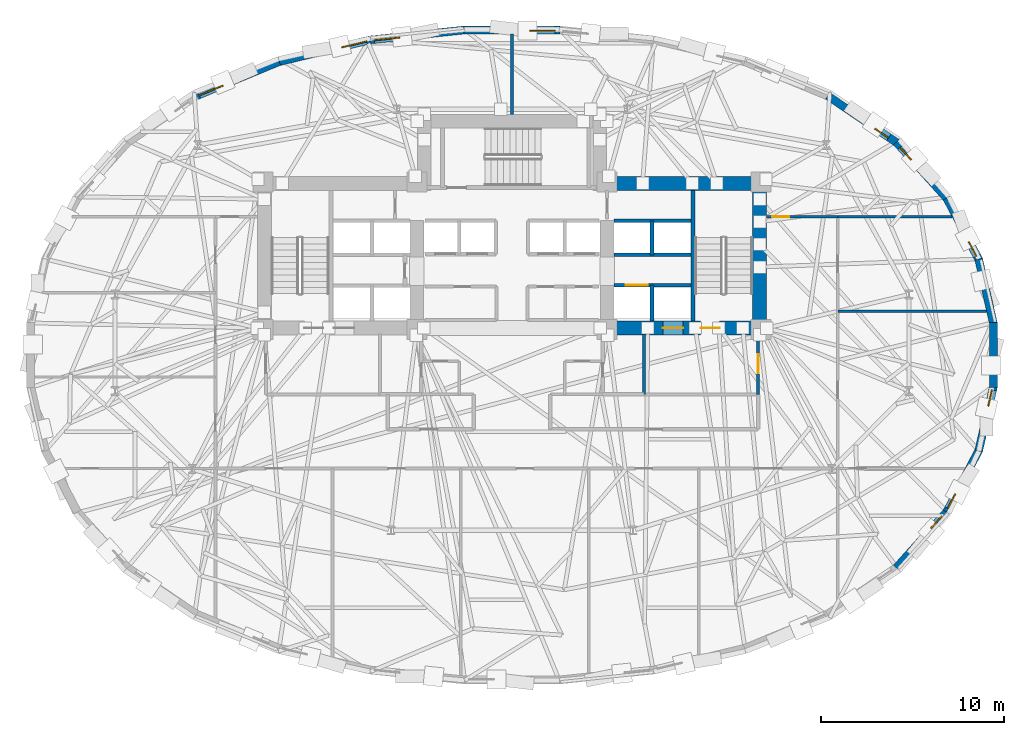
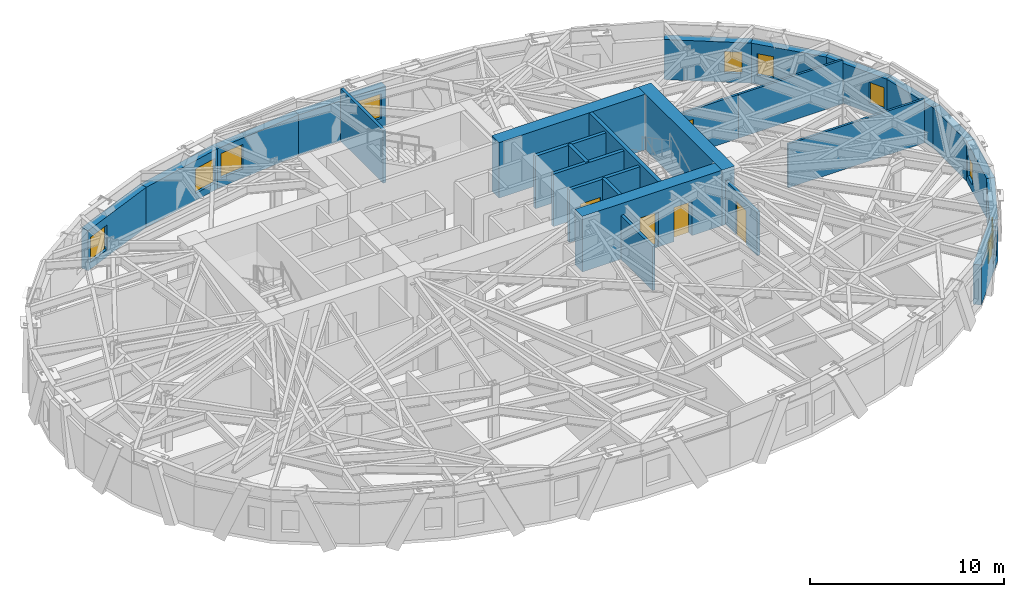
# One storey, part 9 of 14: 27 walls, 10 windows, 5 doors, 15 openings.
"""IFC4 building model written with IfcOpenShell, lengths in metres."""

from ifc_helpers import new_model, si_unit, direction, frame, frame_2d, origin, place, context, subcontext, project, spatial, rectangle, extrude, material, layer, layer_set, type_object, element, fill, save


model = new_model("IFC4")

# Units and contexts
model_context = context("Model", 3, precision=1e-05, world=origin(), true_north=direction((0.0, 1.0)))
body_context = subcontext(model_context, "Body", "Model", "MODEL_VIEW")
ifc_project = project(units=[si_unit("LENGTHUNIT", "METRE"), si_unit("AREAUNIT", "SQUARE_METRE"), si_unit("VOLUMEUNIT", "CUBIC_METRE"), si_unit("PLANEANGLEUNIT", "RADIAN"), si_unit("MASSUNIT", "GRAM", prefix="KILO")], contexts=[model_context])

# Site, building, storey
site_placement = place(None, origin())
site = spatial("IfcSite", under=ifc_project, at=site_placement, CompositionType="ELEMENT")
building_placement = place(site_placement, origin())
building = spatial("IfcBuilding", under=site, at=building_placement, Name="Keldmark Tower", CompositionType="ELEMENT")
storey_placement = place(building_placement, frame((0.0, 0.0, 117.60009765625)))
storey = spatial("IfcBuildingStorey", under=building, at=storey_placement, Name="L31", CompositionType="ELEMENT", Elevation=117.60009765625)

# Wall, opening, door
ifc_material_1 = material(Name="Acoustic Double-Layer Gypsum Corridor Partition", Category="gypsum")
ifc_layer_1 = layer(ifc_material_1, 0.139892578125)
ifc_layer_set_1 = layer_set([ifc_layer_1], Name="Acoustic Double-Layer Gypsum Corridor Partition")
wall_type_1 = type_object("IfcWallType", Name="Acoustic Corridor Partition 140 mm", PredefinedType="PARTITIONING", material=ifc_layer_set_1)
wall_1_placement = place(storey_placement, frame((13.89990234375, 7.550048828125, 0.0), z_axis=(0.0, 0.0, 1.0), x_axis=(1.0, 0.0, 0.0)))
wall_1 = element("IfcWall", 1, at=wall_1_placement, inside=storey, type_object=wall_type_1, Name="L31 Acoustic Corridor Partition 140 mm COR-EN-CAP", PredefinedType="PARTITIONING", context=body_context, shape_type="SweptSolid", body=[
    extrude(rectangle(XDim=3.900146484375, YDim=0.139892578125, at=frame_2d((1.9501953125, 0.0))), origin(), (0.0, 0.0, 1.0), 2.762939453125),
])
opening_1_placement = place(wall_1_placement, frame((0.320068359375, 0.0, 0.0)))
opening_1 = element("IfcOpeningElement", 2, at=opening_1_placement, cuts=wall_1, Name="Opening D-EX092", PredefinedType="OPENING", context=body_context, shape_type="SweptSolid", body=[
    extrude(rectangle(XDim=0.919921875, YDim=2.14990234375, at=frame_2d((0.4599609375, 1.074951171875))), frame((0.0, 0.079833984375, 0.0), z_axis=(0.0, -1.0, 0.0), x_axis=(1.0, 0.0, 0.0)), (0.0, 0.0, 1.0), 0.159912109375),
])
ifc_material_2 = material(Name="Flush American Ash Executive Office Door", Category="wood")
door_type_1 = type_object("IfcDoorType", Name="Executive Office Door 920x2150", OperationType="NOTDEFINED", PredefinedType="DOOR", material=ifc_material_2)
door_1_placement = place(opening_1_placement, origin())
door_1 = element("IfcDoor", 3, at=door_1_placement, inside=storey, type_object=door_type_1, Name="L31 Executive Office Door 920x2150 D-NRNE-L31", OperationType="SINGLE_SWING_RIGHT", OverallHeight=2.14990234375, OverallWidth=0.919921875, PredefinedType="DOOR", context=body_context, shape_type="SweptSolid", body=[
    extrude(rectangle(XDim=0.919921875, YDim=2.14990234375, at=frame_2d((0.4599609375, 1.074951171875))), frame((0.0, 0.02490234375, 0.0), z_axis=(0.0, -1.0, 0.0), x_axis=(1.0, 0.0, 0.0)), (0.0, 0.0, 1.0), 0.050048828125),
])
fill(opening_1, door_1)

# Walls
ifc_material_3 = material(Name="STC-58 Insulated Tenant Demising Gypsum Partition", Category="gypsum")
ifc_layer_2 = layer(ifc_material_3, 0.175048828125)
ifc_layer_set_2 = layer_set([ifc_layer_2], Name="STC-58 Insulated Tenant Demising Gypsum Partition")
wall_type_2 = type_object("IfcWallType", Name="Demising Suite Partition 175 mm", PredefinedType="PARTITIONING", material=ifc_layer_set_2)
wall_2_placement = place(storey_placement, frame((0.0, 13.14990234375, 0.0), z_axis=(0.0, 0.0, 1.0), x_axis=(0.0, 1.0, 0.0)))
element("IfcWall", 4, at=wall_2_placement, inside=storey, type_object=wall_type_2, Name="L31 Demising Suite Partition 175 mm N-MID-DIV", PredefinedType="PARTITIONING", context=body_context, shape_type="SweptSolid", body=[
    extrude(rectangle(XDim=4.3828125, YDim=0.175048828125, at=frame_2d((2.19140625, 0.0))), origin(), (0.0, 0.0, 1.0), 3.309814453125),
])
ifc_material_4 = material(Name="Acoustic Gypsum Board Interior Partition", Category="gypsum")
ifc_layer_3 = layer(ifc_material_4, 0.1298828125)
ifc_layer_set_3 = layer_set([ifc_layer_3], Name="Acoustic Gypsum Board Interior Partition")
wall_type_3 = type_object("IfcWallType", Name="Interior Partition 130 mm", PredefinedType="PARTITIONING", material=ifc_layer_set_3)
wall_3_placement = place(storey_placement, frame((17.800048828125, 7.550048828125, 0.0), z_axis=(0.0, 0.0, 1.0), x_axis=(1.0, 0.0, 0.0)))
element("IfcWall", 5, at=wall_3_placement, inside=storey, type_object=wall_type_3, Name="L31 Interior Partition 130 mm E-CAP-N", PredefinedType="PARTITIONING", context=body_context, shape_type="SweptSolid", body=[
    extrude(rectangle(XDim=6.233642578125, YDim=0.1298828125, at=frame_2d((3.11669921875, 0.0))), origin(), (0.0, 0.0, 1.0), 2.762939453125),
])
wall_4_placement = place(storey_placement, frame((17.800048828125, 2.39990234375, 0.0), z_axis=(0.0, 0.0, 1.0), x_axis=(1.0, 0.0, 0.0)))
element("IfcWall", 6, at=wall_4_placement, inside=storey, type_object=wall_type_3, Name="L31 Interior Partition 130 mm E-DIV-1", PredefinedType="PARTITIONING", context=body_context, shape_type="SweptSolid", body=[
    extrude(rectangle(XDim=8.1181640625, YDim=0.1298828125, at=frame_2d((4.05908203125, 0.0))), origin(), (0.0, 0.0, 1.0), 2.762939453125),
])
ifc_material_5 = material(Name="Concrete C70/85", Category="concrete")
ifc_layer_4 = layer(ifc_material_5, 0.75)
ifc_layer_set_4 = layer_set([ifc_layer_4], Name="Concrete C70/85")
wall_type_4 = type_object("IfcWallType", Name="Low-Mid Core Shear Wall 750 mm", PredefinedType="SHEAR", material=ifc_layer_set_4)
wall_5_placement = place(storey_placement, frame((13.52490234375, 1.10009765625, 0.0), z_axis=(0.0, 0.0, 1.0), x_axis=(0.0, 1.0, 0.0)))
element("IfcWall", 7, at=wall_5_placement, inside=storey, type_object=wall_type_4, Name="L31 East Core Outer Shear Wall", PredefinedType="SHEAR", context=body_context, shape_type="SweptSolid", body=[
    extrude(rectangle(XDim=8.64990234375, YDim=0.75, at=frame_2d((4.324951171875, 0.0))), origin(), (0.0, 0.0, 1.0), 3.5),
])
wall_6_placement = place(storey_placement, frame((4.425048828125, 9.375, 0.0), z_axis=(0.0, 0.0, 1.0), x_axis=(1.0, 0.0, 0.0)))
element("IfcWall", 8, at=wall_6_placement, inside=storey, type_object=wall_type_4, Name="L31 East Core North Shear Wall", PredefinedType="SHEAR", context=body_context, shape_type="SweptSolid", body=[
    extrude(rectangle(XDim=9.474853515625, YDim=0.75, at=frame_2d((4.7373046875, 0.0))), origin(), (0.0, 0.0, 1.0), 3.5),
])

# Wall, openings, doors
wall_7_placement = place(storey_placement, frame((13.89990234375, 1.47509765625, 0.0), z_axis=(0.0, 0.0, 1.0), x_axis=(-1.0, 0.0, 0.0)))
wall_7 = element("IfcWall", 9, at=wall_7_placement, inside=storey, type_object=wall_type_4, Name="L31 East Core South Shear Wall", PredefinedType="SHEAR", context=body_context, shape_type="SweptSolid", body=[
    extrude(rectangle(XDim=9.074951171875, YDim=0.75, at=frame_2d((4.53759765625, 0.0))), origin(), (0.0, 0.0, 1.0), 3.5),
])
opening_2_placement = place(wall_7_placement, frame((2.550048828125, 0.0, 0.0)))
opening_2 = element("IfcOpeningElement", 10, at=opening_2_placement, cuts=wall_7, Name="Opening D-ST105", PredefinedType="OPENING", context=body_context, shape_type="SweptSolid", body=[
    extrude(rectangle(XDim=1.050048828125, YDim=2.14990234375, at=frame_2d((0.52490234375, 1.074951171875))), frame((0.0, 0.385009765625, 0.0), z_axis=(0.0, -1.0, 0.0), x_axis=(1.0, 0.0, 0.0)), (0.0, 0.0, 1.0), 0.77001953125),
])
opening_3_placement = place(wall_7_placement, frame((4.550048828125, 0.0, 0.0)))
opening_3 = element("IfcOpeningElement", 11, at=opening_3_placement, cuts=wall_7, Name="Opening LD-110", PredefinedType="OPENING", context=body_context, shape_type="SweptSolid", body=[
    extrude(rectangle(XDim=1.10009765625, YDim=2.199951171875, at=frame_2d((0.550048828125, 1.10009765625))), frame((0.0, 0.385009765625, 0.0), z_axis=(0.0, -1.0, 0.0), x_axis=(1.0, 0.0, 0.0)), (0.0, 0.0, 1.0), 0.77001953125),
])
ifc_material_6 = material(Name="Brushed Bronze Hoistway Sliding Leaf", Category="metal")
door_type_2 = type_object("IfcDoorType", Name="Lift Landing Sliding Door 1100x2200", OperationType="SLIDING_TO_LEFT", PredefinedType="DOOR", material=ifc_material_6)
door_2_placement = place(opening_3_placement, origin())
door_2 = element("IfcDoor", 12, at=door_2_placement, inside=storey, type_object=door_type_2, Name="L31 Lift Landing Sliding Door 1100x2200 LD-EL-FS2-L31", OperationType="SLIDING_TO_LEFT", OverallHeight=2.199951171875, OverallWidth=1.10009765625, PredefinedType="DOOR", context=body_context, shape_type="SweptSolid", body=[
    extrude(rectangle(XDim=1.10009765625, YDim=2.199951171875, at=frame_2d((0.550048828125, 1.10009765625))), frame((0.0, 0.02490234375, 0.0), z_axis=(0.0, -1.0, 0.0), x_axis=(1.0, 0.0, 0.0)), (0.0, 0.0, 1.0), 0.050048828125),
])
fill(opening_3, door_2)
ifc_material_7 = material(Name="Hollow Metal Fire-Rated Door Assembly", Category="metal")
door_type_3 = type_object("IfcDoorType", Name="Stair Fire Door 1050x2150", OperationType="NOTDEFINED", PredefinedType="DOOR", material=ifc_material_7)
door_3_placement = place(opening_2_placement, origin())
door_3 = element("IfcDoor", 13, at=door_3_placement, inside=storey, type_object=door_type_3, Name="L31 Stair Fire Door 1050x2150 D-ST2-L31", OperationType="SINGLE_SWING_LEFT", OverallHeight=2.14990234375, OverallWidth=1.050048828125, PredefinedType="DOOR", context=body_context, shape_type="SweptSolid", body=[
    extrude(rectangle(XDim=1.050048828125, YDim=2.14990234375, at=frame_2d((0.52490234375, 1.074951171875))), frame((0.0, 0.02490234375, 0.0), z_axis=(0.0, -1.0, 0.0), x_axis=(1.0, 0.0, 0.0)), (0.0, 0.0, 1.0), 0.050048828125),
])
fill(opening_2, door_3)

# Wall
ifc_material_8 = material(Name="Type X Fire-Rated Gypsum Partition Assembly", Category="gypsum")
ifc_layer_5 = layer(ifc_material_8, 0.1650390625)
ifc_layer_set_5 = layer_set([ifc_layer_5], Name="Type X Fire-Rated Gypsum Partition Assembly")
wall_type_5 = type_object("IfcWallType", Name="Rated Partition 165 mm", PredefinedType="PARTITIONING", material=ifc_layer_set_5)
wall_8_placement = place(storey_placement, frame((7.199951171875, -2.14990234375, 0.0), z_axis=(0.0, 0.0, 1.0), x_axis=(0.0, 1.0, 0.0)))
element("IfcWall", 14, at=wall_8_placement, inside=storey, type_object=wall_type_5, Name="L31 Rated Partition 165 mm FSAE-E-W", PredefinedType="PARTITIONING", context=body_context, shape_type="SweptSolid", body=[
    extrude(rectangle(XDim=3.2998046875, YDim=0.1650390625, at=frame_2d((1.64990234375, 0.0))), origin(), (0.0, 0.0, 1.0), 2.762939453125),
])

# Wall, opening, door
wall_9_placement = place(storey_placement, frame((13.449951171875, -2.14990234375, 0.0), z_axis=(0.0, 0.0, 1.0), x_axis=(0.0, 1.0, 0.0)))
wall_9 = element("IfcWall", 15, at=wall_9_placement, inside=storey, type_object=wall_type_5, Name="L31 Rated Partition 165 mm FSAE-E-E", PredefinedType="PARTITIONING", context=body_context, shape_type="SweptSolid", body=[
    extrude(rectangle(XDim=3.2998046875, YDim=0.1650390625, at=frame_2d((1.64990234375, 0.0))), origin(), (0.0, 0.0, 1.0), 2.762939453125),
])
opening_4_placement = place(wall_9_placement, frame((1.14990234375, 0.0, 0.0)))
opening_4 = element("IfcOpeningElement", 16, at=opening_4_placement, cuts=wall_9, Name="Opening D-FL105", PredefinedType="OPENING", context=body_context, shape_type="SweptSolid", body=[
    extrude(rectangle(XDim=1.050048828125, YDim=2.14990234375, at=frame_2d((0.52490234375, 1.074951171875))), frame((0.0, 0.092529296875, 0.0), z_axis=(0.0, -1.0, 0.0), x_axis=(1.0, 0.0, 0.0)), (0.0, 0.0, 1.0), 0.18505859375),
])
ifc_material_9 = material(Name="Fire-Rated Mineral-Core Door and Vision Lite", Category="metal")
door_type_4 = type_object("IfcDoorType", Name="Fire Lobby Door 1050x2150", OperationType="NOTDEFINED", PredefinedType="DOOR", material=ifc_material_9)
door_4_placement = place(opening_4_placement, origin())
door_4 = element("IfcDoor", 17, at=door_4_placement, inside=storey, type_object=door_type_4, Name="L31 Fire Lobby Door 1050x2150 D-FSAEE-OUT-L31", OperationType="SINGLE_SWING_LEFT", OverallHeight=2.14990234375, OverallWidth=1.050048828125, PredefinedType="DOOR", context=body_context, shape_type="SweptSolid", body=[
    extrude(rectangle(XDim=1.050048828125, YDim=2.14990234375, at=frame_2d((0.52490234375, 1.074951171875))), frame((0.0, 0.02490234375, 0.0), z_axis=(0.0, -1.0, 0.0), x_axis=(1.0, 0.0, 0.0)), (0.0, 0.0, 1.0), 0.050048828125),
])
fill(opening_4, door_4)

ifc_material_10 = material(Name="Fire-Resistant Type X Gypsum Shaftliner Coreboard", Category="gypsum")
ifc_layer_6 = layer(ifc_material_10, 0.199951171875)
ifc_layer_set_6 = layer_set([ifc_layer_6], Name="Fire-Resistant Type X Gypsum Shaftliner Coreboard")
wall_type_6 = type_object("IfcWallType", Name="Shaft Wall 200 mm", PredefinedType="SOLIDWALL", material=ifc_layer_set_6)
wall_10_placement = place(storey_placement, frame((5.574951171875, 3.820068359375, 0.0), z_axis=(0.0, 0.0, 1.0), x_axis=(1.0, 0.0, 0.0)))
wall_10 = element("IfcWall", 18, at=wall_10_placement, inside=storey, type_object=wall_type_6, Name="L31 Shaft Wall 200 mm HW-E-S", PredefinedType="SOLIDWALL", context=body_context, shape_type="SweptSolid", body=[
    extrude(rectangle(XDim=4.205078125, YDim=0.199951171875, at=frame_2d((2.1025390625, 0.0))), origin(), (0.0, 0.0, 1.0), 3.309814453125),
])
opening_5_placement = place(wall_10_placement, frame((0.64990234375, 0.0, 0.0)))
opening_5 = element("IfcOpeningElement", 19, at=opening_5_placement, cuts=wall_10, Name="Opening LD-120", PredefinedType="OPENING", context=body_context, shape_type="SweptSolid", body=[
    extrude(rectangle(XDim=1.199951171875, YDim=2.199951171875, at=frame_2d((0.60009765625, 1.10009765625))), frame((0.0, 0.10986328125, 0.0), z_axis=(0.0, -1.0, 0.0), x_axis=(1.0, 0.0, 0.0)), (0.0, 0.0, 1.0), 0.219970703125),
])
ifc_material_11 = material(Name="Heavy-Duty Brushed Metal Hoistway Sliding Leaf", Category="metal")
door_type_5 = type_object("IfcDoorType", Name="Service Lift Sliding Door 1200x2200", OperationType="SLIDING_TO_RIGHT", PredefinedType="DOOR", material=ifc_material_11)
door_5_placement = place(opening_5_placement, origin())
door_5 = element("IfcDoor", 20, at=door_5_placement, inside=storey, type_object=door_type_5, Name="L31 Service Lift Sliding Door 1200x2200 LD-EL-SV1-L31", OperationType="SLIDING_TO_RIGHT", OverallHeight=2.199951171875, OverallWidth=1.199951171875, PredefinedType="DOOR", context=body_context, shape_type="SweptSolid", body=[
    extrude(rectangle(XDim=1.199951171875, YDim=2.199951171875, at=frame_2d((0.60009765625, 1.10009765625))), frame((0.0, 0.02490234375, 0.0), z_axis=(0.0, -1.0, 0.0), x_axis=(1.0, 0.0, 0.0)), (0.0, 0.0, 1.0), 0.050048828125),
])
fill(opening_5, door_5)

# Walls
wall_11_placement = place(storey_placement, frame((7.64990234375, 1.85009765625, 0.0), z_axis=(0.0, 0.0, 1.0), x_axis=(0.0, 1.0, 0.0)))
element("IfcWall", 21, at=wall_11_placement, inside=storey, type_object=wall_type_6, Name="L31 Shaft Wall 200 mm HW-E-M", PredefinedType="SOLIDWALL", context=body_context, shape_type="SweptSolid", body=[
    extrude(rectangle(XDim=1.969970703125, YDim=0.199951171875, at=frame_2d((0.98486328125, 0.0))), origin(), (0.0, 0.0, 1.0), 3.309814453125),
])
for number, where, z_axis, x_axis, name in (
    (22, (5.574951171875, 5.469970703125, 0.0), (0.0, 0.0, 1.0), (1.0, 0.0, 0.0), "L31 Shaft Wall 200 mm HW-E-N"),
    (23, (5.574951171875, 7.330078125, 0.0), (0.0, 0.0, 1.0), (1.0, 0.0, 0.0), "L31 Shaft Wall 200 mm HW-E-TOP"),
):
    element("IfcWall", number, at=place(storey_placement, frame(where, z_axis=z_axis, x_axis=x_axis)), inside=storey, type_object=wall_type_6, Name=name, PredefinedType="SOLIDWALL", context=body_context, shape_type="SweptSolid", body=[
        extrude(rectangle(XDim=4.205078125, YDim=0.199951171875, at=frame_2d((2.1025390625, 0.0))), origin(), (0.0, 0.0, 1.0), 3.309814453125),
    ])
wall_12_placement = place(storey_placement, frame((7.64990234375, 5.469970703125, 0.0), z_axis=(0.0, 0.0, 1.0), x_axis=(0.0, 1.0, 0.0)))
element("IfcWall", 24, at=wall_12_placement, inside=storey, type_object=wall_type_6, Name="L31 Shaft Wall 200 mm HW-E-NM", PredefinedType="SOLIDWALL", context=body_context, shape_type="SweptSolid", body=[
    extrude(rectangle(XDim=1.860107421875, YDim=0.199951171875, at=frame_2d((0.93017578125, 0.0))), origin(), (0.0, 0.0, 1.0), 3.309814453125),
])
ifc_material_12 = material(Name="Concrete C50/60", Category="concrete")
ifc_layer_7 = layer(ifc_material_12, 0.219970703125)
ifc_layer_set_7 = layer_set([ifc_layer_7], Name="Concrete C50/60")
wall_type_7 = type_object("IfcWallType", Name="Stair Core Shear Wall 220 mm", PredefinedType="SHEAR", material=ifc_layer_set_7)
wall_13_placement = place(storey_placement, frame((9.889892578125, 1.85009765625, 0.0), z_axis=(0.0, 0.0, 1.0), x_axis=(0.0, 1.0, 0.0)))
element("IfcWall", 25, at=wall_13_placement, inside=storey, type_object=wall_type_7, Name="L31 East Stair Core Shear Wall", PredefinedType="SHEAR", context=body_context, shape_type="SweptSolid", body=[
    extrude(rectangle(XDim=7.14990234375, YDim=0.219970703125, at=frame_2d((3.574951171875, 0.0))), origin(), (0.0, 0.0, 1.0), 3.5),
])
ifc_material_13 = material(Name="Ironspot Manganese Brick and Kasota Buff Limestone Spandrel Assembly", Category="masonry")
ifc_layer_8 = layer(ifc_material_13, 0.43994140625)
ifc_layer_set_8 = layer_set([ifc_layer_8], Name="Ironspot Manganese Brick and Kasota Buff Limestone Spandrel Assembly")
wall_type_8 = type_object("IfcWallType", Name="Tower Brick Pier and Spandrel Wall 440 mm", PredefinedType="STANDARD", material=ifc_layer_set_8)
wall_14_placement = place(storey_placement, frame((25.501708984375, 5.239501953125, 0.0), z_axis=(0.0, 0.0, 1.0), x_axis=(0.223322591546, -0.974744592242, 0.0)))
element("IfcWall", 26, at=wall_14_placement, inside=storey, type_object=wall_type_8, Name="L31 Exterior Brick and Spandrel Wall 01", PredefinedType="STANDARD", context=body_context, shape_type="SweptSolid", body=[
    extrude(rectangle(XDim=3.608642578125, YDim=0.43994140625, at=frame_2d((1.80419921875, 0.0))), origin(), (0.0, 0.0, 1.0), 2.52783203125),
])

# Wall, opening, window
wall_15_placement = place(storey_placement, frame((23.755859375, 8.57763671875, 0.0), z_axis=(0.0, 0.0, 1.0), x_axis=(0.461766944701, -0.88700129018, 0.0)))
wall_15 = element("IfcWall", 27, at=wall_15_placement, inside=storey, type_object=wall_type_8, Name="L31 Exterior Brick and Spandrel Wall 02", PredefinedType="STANDARD", context=body_context, shape_type="SweptSolid", body=[
    extrude(rectangle(XDim=3.822509765625, YDim=0.43994140625, at=frame_2d((1.9111328125, 0.0))), origin(), (0.0, 0.0, 1.0), 2.52783203125),
])
opening_6_placement = place(wall_15_placement, frame((2.673095703125, 0.0, 0.580078125)))
opening_6 = element("IfcOpeningElement", 28, at=opening_6_placement, cuts=wall_15, Name="Opening W-09", PredefinedType="OPENING", context=body_context, shape_type="SweptSolid", body=[
    extrude(rectangle(XDim=0.89990234375, YDim=1.35009765625, at=frame_2d((0.449951171875, 0.675048828125))), frame((0.0, 0.22998046875, 0.0), z_axis=(0.0, -1.0, 0.0), x_axis=(1.0, 0.0, 0.0)), (0.0, 0.0, 1.0), 0.4599609375),
])
ifc_material_14 = material(Name="Thermally Broken Anodized Aluminum and Triple Low-E Argon Glazing", Category="aluminium")
window_type_1 = type_object("IfcWindowType", Name="Corner Pier Deep-Set Window 900x1350", PartitioningType="SINGLE_PANEL", PredefinedType="WINDOW", material=ifc_material_14)
window_1_placement = place(opening_6_placement, origin())
window_1 = element("IfcWindow", 29, at=window_1_placement, inside=storey, type_object=window_type_1, Name="L31 Deep-Set Window 02", OverallHeight=1.35009765625, OverallWidth=0.89990234375, PartitioningType="SINGLE_PANEL", PredefinedType="WINDOW", context=body_context, shape_type="SweptSolid", body=[
    extrude(rectangle(XDim=0.89990234375, YDim=1.35009765625, at=frame_2d((0.449951171875, 0.675048828125))), frame((0.0, -0.010009765625, 0.0), z_axis=(0.0, -1.0, 0.0), x_axis=(1.0, 0.0, 0.0)), (0.0, 0.0, 1.0), 0.06005859375),
])
fill(opening_6, window_1)

wall_16_placement = place(storey_placement, frame((21.001708984375, 11.629150390625, 0.0), z_axis=(0.0, 0.0, 1.0), x_axis=(0.668754222456, -0.743483550556, 0.0)))
wall_16 = element("IfcWall", 30, at=wall_16_placement, inside=storey, type_object=wall_type_8, Name="L31 Exterior Brick and Spandrel Wall 03", PredefinedType="STANDARD", context=body_context, shape_type="SweptSolid", body=[
    extrude(rectangle(XDim=4.16552734375, YDim=0.43994140625, at=frame_2d((2.082763671875, 0.0))), origin(), (0.0, 0.0, 1.0), 2.52783203125),
])
opening_7_placement = place(wall_16_placement, frame((0.34814453125, 0.0, 0.580078125)))
opening_7 = element("IfcOpeningElement", 31, at=opening_7_placement, cuts=wall_16, Name="Opening W-09", PredefinedType="OPENING", context=body_context, shape_type="SweptSolid", body=[
    extrude(rectangle(XDim=0.89990234375, YDim=1.35009765625, at=frame_2d((0.449951171875, 0.675048828125))), frame((0.0, 0.22998046875, 0.0), z_axis=(0.0, -1.0, 0.0), x_axis=(1.0, 0.0, 0.0)), (0.0, 0.0, 1.0), 0.4599609375),
])
window_2_placement = place(opening_7_placement, origin())
window_2 = element("IfcWindow", 32, at=window_2_placement, inside=storey, type_object=window_type_1, Name="L31 Deep-Set Window 03", OverallHeight=1.35009765625, OverallWidth=0.89990234375, PartitioningType="SINGLE_PANEL", PredefinedType="WINDOW", context=body_context, shape_type="SweptSolid", body=[
    extrude(rectangle(XDim=0.89990234375, YDim=1.35009765625, at=frame_2d((0.449951171875, 0.675048828125))), frame((0.0, -0.010009765625, 0.0), z_axis=(0.0, -1.0, 0.0), x_axis=(1.0, 0.0, 0.0)), (0.0, 0.0, 1.0), 0.06005859375),
])
fill(opening_7, window_2)

wall_17_placement = place(storey_placement, frame((17.24658203125, 14.167236328125, 0.0), z_axis=(0.0, 0.0, 1.0), x_axis=(0.827700115196, -0.561170668607, 0.0)))
wall_17 = element("IfcWall", 33, at=wall_17_placement, inside=storey, type_object=wall_type_8, Name="L31 Exterior Brick and Spandrel Wall 04", PredefinedType="STANDARD", context=body_context, shape_type="SweptSolid", body=[
    extrude(rectangle(XDim=4.58544921875, YDim=0.43994140625, at=frame_2d((2.292724609375, 0.0))), origin(), (0.0, 0.0, 1.0), 2.52783203125),
])
opening_8_placement = place(wall_17_placement, frame((3.136962890625, 0.0, 0.580078125)))
opening_8 = element("IfcOpeningElement", 34, at=opening_8_placement, cuts=wall_17, Name="Opening W-09", PredefinedType="OPENING", context=body_context, shape_type="SweptSolid", body=[
    extrude(rectangle(XDim=0.89990234375, YDim=1.35009765625, at=frame_2d((0.449951171875, 0.675048828125))), frame((0.0, 0.22998046875, 0.0), z_axis=(0.0, -1.0, 0.0), x_axis=(1.0, 0.0, 0.0)), (0.0, 0.0, 1.0), 0.4599609375),
])
window_3_placement = place(opening_8_placement, origin())
window_3 = element("IfcWindow", 35, at=window_3_placement, inside=storey, type_object=window_type_1, Name="L31 Deep-Set Window 04", OverallHeight=1.35009765625, OverallWidth=0.89990234375, PartitioningType="SINGLE_PANEL", PredefinedType="WINDOW", context=body_context, shape_type="SweptSolid", body=[
    extrude(rectangle(XDim=0.89990234375, YDim=1.35009765625, at=frame_2d((0.449951171875, 0.675048828125))), frame((0.0, -0.010009765625, 0.0), z_axis=(0.0, -1.0, 0.0), x_axis=(1.0, 0.0, 0.0)), (0.0, 0.0, 1.0), 0.06005859375),
])
fill(opening_8, window_3)

wall_18_placement = place(storey_placement, frame((-2.6123046875, 17.7607421875, 0.0), z_axis=(0.0, 0.0, 1.0), x_axis=(1.0, 0.0, 0.0)))
wall_18 = element("IfcWall", 36, at=wall_18_placement, inside=storey, type_object=wall_type_8, Name="L31 Exterior Brick and Spandrel Wall 08", PredefinedType="STANDARD", context=body_context, shape_type="SweptSolid", body=[
    extrude(rectangle(XDim=5.224609375, YDim=0.43994140625, at=frame_2d((2.6123046875, 0.0))), origin(), (0.0, 0.0, 1.0), 2.52783203125),
])
opening_9_placement = place(wall_18_placement, frame((3.57470703125, 0.0, 0.580078125)))
opening_9 = element("IfcOpeningElement", 37, at=opening_9_placement, cuts=wall_18, Name="Opening W-08", PredefinedType="OPENING", context=body_context, shape_type="SweptSolid", body=[
    extrude(rectangle(XDim=1.39990234375, YDim=1.550048828125, at=frame_2d((0.699951171875, 0.77490234375))), frame((0.0, 0.22998046875, 0.0), z_axis=(0.0, -1.0, 0.0), x_axis=(1.0, 0.0, 0.0)), (0.0, 0.0, 1.0), 0.4599609375),
])
ifc_material_15 = material(Name="Thermally Broken Anodized Aluminum and Triple Low-E Argon Glazing", Category="aluminium")
window_type_2 = type_object("IfcWindowType", Name="Residential Corner Punched Window 1400x1550", PartitioningType="SINGLE_PANEL", PredefinedType="WINDOW", material=ifc_material_15)
window_4_placement = place(opening_9_placement, origin())
window_4 = element("IfcWindow", 38, at=window_4_placement, inside=storey, type_object=window_type_2, Name="L31 Deep-Set Window 08", OverallHeight=1.550048828125, OverallWidth=1.39990234375, PartitioningType="SINGLE_PANEL", PredefinedType="WINDOW", context=body_context, shape_type="SweptSolid", body=[
    extrude(rectangle(XDim=1.39990234375, YDim=1.550048828125, at=frame_2d((0.699951171875, 0.77490234375))), frame((0.0, -0.010009765625, 0.0), z_axis=(0.0, -1.0, 0.0), x_axis=(1.0, 0.0, 0.0)), (0.0, 0.0, 1.0), 0.06005859375),
])
fill(opening_9, window_4)

wall_19_placement = place(storey_placement, frame((-7.77783203125, 17.215576171875, 0.0), z_axis=(0.0, 0.0, 1.0), x_axis=(0.994501349718, 0.104723757619, 0.0)))
wall_19 = element("IfcWall", 39, at=wall_19_placement, inside=storey, type_object=wall_type_8, Name="L31 Exterior Brick and Spandrel Wall 09", PredefinedType="STANDARD", context=body_context, shape_type="SweptSolid", body=[
    extrude(rectangle(XDim=5.217529296875, YDim=0.43994140625, at=frame_2d((2.60888671875, 0.0))), origin(), (0.0, 0.0, 1.0), 2.52783203125),
])
opening_10_placement = place(wall_19_placement, frame((0.24951171875, 0.0, 0.580078125)))
opening_10 = element("IfcOpeningElement", 40, at=opening_10_placement, cuts=wall_19, Name="Opening W-08", PredefinedType="OPENING", context=body_context, shape_type="SweptSolid", body=[
    extrude(rectangle(XDim=1.39990234375, YDim=1.550048828125, at=frame_2d((0.699951171875, 0.77490234375))), frame((0.0, 0.22998046875, 0.0), z_axis=(0.0, -1.0, 0.0), x_axis=(1.0, 0.0, 0.0)), (0.0, 0.0, 1.0), 0.4599609375),
])
window_5_placement = place(opening_10_placement, origin())
window_5 = element("IfcWindow", 41, at=window_5_placement, inside=storey, type_object=window_type_2, Name="L31 Deep-Set Window 09", OverallHeight=1.550048828125, OverallWidth=1.39990234375, PartitioningType="SINGLE_PANEL", PredefinedType="WINDOW", context=body_context, shape_type="SweptSolid", body=[
    extrude(rectangle(XDim=1.39990234375, YDim=1.550048828125, at=frame_2d((0.699951171875, 0.77490234375))), frame((0.0, -0.010009765625, 0.0), z_axis=(0.0, -1.0, 0.0), x_axis=(1.0, 0.0, 0.0)), (0.0, 0.0, 1.0), 0.06005859375),
])
fill(opening_10, window_5)

wall_20_placement = place(storey_placement, frame((-12.750732421875, 16.023681640625, 0.0), z_axis=(0.0, 0.0, 1.0), x_axis=(0.972539655933, 0.232737228734, 0.0)))
wall_20 = element("IfcWall", 42, at=wall_20_placement, inside=storey, type_object=wall_type_8, Name="L31 Exterior Brick and Spandrel Wall 10", PredefinedType="STANDARD", context=body_context, shape_type="SweptSolid", body=[
    extrude(rectangle(XDim=5.14208984375, YDim=0.43994140625, at=frame_2d((2.571044921875, 0.0))), origin(), (0.0, 0.0, 1.0), 2.52783203125),
])
opening_11_placement = place(wall_20_placement, frame((3.542236328125, 0.0, 0.449951171875)))
opening_11 = element("IfcOpeningElement", 43, at=opening_11_placement, cuts=wall_20, Name="Opening W-08", PredefinedType="OPENING", context=body_context, shape_type="SweptSolid", body=[
    extrude(rectangle(XDim=1.39990234375, YDim=1.550048828125, at=frame_2d((0.699951171875, 0.77490234375))), frame((0.0, 0.22998046875, 0.0), z_axis=(0.0, -1.0, 0.0), x_axis=(1.0, 0.0, 0.0)), (0.0, 0.0, 1.0), 0.4599609375),
])
window_6_placement = place(opening_11_placement, origin())
window_6 = element("IfcWindow", 44, at=window_6_placement, inside=storey, type_object=window_type_2, Name="L31 Deep-Set Window 10", OverallHeight=1.550048828125, OverallWidth=1.39990234375, PartitioningType="SINGLE_PANEL", PredefinedType="WINDOW", context=body_context, shape_type="SweptSolid", body=[
    extrude(rectangle(XDim=1.39990234375, YDim=1.550048828125, at=frame_2d((0.699951171875, 0.77490234375))), frame((0.0, -0.010009765625, 0.0), z_axis=(0.0, -1.0, 0.0), x_axis=(1.0, 0.0, 0.0)), (0.0, 0.0, 1.0), 0.06005859375),
])
fill(opening_11, window_6)

wall_21_placement = place(storey_placement, frame((-17.285888671875, 14.14599609375, 0.0), z_axis=(0.0, 0.0, 1.0), x_axis=(0.924140141084, 0.382053660678, 0.0)))
wall_21 = element("IfcWall", 45, at=wall_21_placement, inside=storey, type_object=wall_type_8, Name="L31 Exterior Brick and Spandrel Wall 11", PredefinedType="STANDARD", context=body_context, shape_type="SweptSolid", body=[
    extrude(rectangle(XDim=4.94287109375, YDim=0.43994140625, at=frame_2d((2.471435546875, 0.0))), origin(), (0.0, 0.0, 1.0), 2.52783203125),
])
opening_12_placement = place(wall_21_placement, frame((0.199951171875, 0.0, 0.449951171875)))
opening_12 = element("IfcOpeningElement", 46, at=opening_12_placement, cuts=wall_21, Name="Opening W-08", PredefinedType="OPENING", context=body_context, shape_type="SweptSolid", body=[
    extrude(rectangle(XDim=1.39990234375, YDim=1.550048828125, at=frame_2d((0.699951171875, 0.77490234375))), frame((0.0, 0.22998046875, 0.0), z_axis=(0.0, -1.0, 0.0), x_axis=(1.0, 0.0, 0.0)), (0.0, 0.0, 1.0), 0.4599609375),
])
window_7_placement = place(opening_12_placement, origin())
window_7 = element("IfcWindow", 47, at=window_7_placement, inside=storey, type_object=window_type_2, Name="L31 Deep-Set Window 11", OverallHeight=1.550048828125, OverallWidth=1.39990234375, PartitioningType="SINGLE_PANEL", PredefinedType="WINDOW", context=body_context, shape_type="SweptSolid", body=[
    extrude(rectangle(XDim=1.39990234375, YDim=1.550048828125, at=frame_2d((0.699951171875, 0.77490234375))), frame((0.0, -0.010009765625, 0.0), z_axis=(0.0, -1.0, 0.0), x_axis=(1.0, 0.0, 0.0)), (0.0, 0.0, 1.0), 0.06005859375),
])
fill(opening_12, window_7)

wall_22_placement = place(storey_placement, frame((23.787353515625, -8.5322265625, 0.0), z_axis=(0.0, 0.0, 1.0), x_axis=(-0.668754222456, -0.743483550556, 0.0)))
wall_22 = element("IfcWall", 48, at=wall_22_placement, inside=storey, type_object=wall_type_8, Name="L31 Exterior Brick and Spandrel Wall 29", PredefinedType="STANDARD", context=body_context, shape_type="SweptSolid", body=[
    extrude(rectangle(XDim=4.16552734375, YDim=0.43994140625, at=frame_2d((2.082763671875, 0.0))), origin(), (0.0, 0.0, 1.0), 2.52783203125),
])
opening_13_placement = place(wall_22_placement, frame((0.397705078125, 0.0, 0.580078125)))
opening_13 = element("IfcOpeningElement", 49, at=opening_13_placement, cuts=wall_22, Name="Opening W-09", PredefinedType="OPENING", context=body_context, shape_type="SweptSolid", body=[
    extrude(rectangle(XDim=0.89990234375, YDim=1.35009765625, at=frame_2d((0.449951171875, 0.675048828125))), frame((0.0, 0.22998046875, 0.0), z_axis=(0.0, -1.0, 0.0), x_axis=(1.0, 0.0, 0.0)), (0.0, 0.0, 1.0), 0.4599609375),
])
window_8_placement = place(opening_13_placement, origin())
window_8 = element("IfcWindow", 50, at=window_8_placement, inside=storey, type_object=window_type_1, Name="L31 Deep-Set Window 29", OverallHeight=1.35009765625, OverallWidth=0.89990234375, PartitioningType="SINGLE_PANEL", PredefinedType="WINDOW", context=body_context, shape_type="SweptSolid", body=[
    extrude(rectangle(XDim=0.89990234375, YDim=1.35009765625, at=frame_2d((0.449951171875, 0.675048828125))), frame((0.0, -0.010009765625, 0.0), z_axis=(0.0, -1.0, 0.0), x_axis=(1.0, 0.0, 0.0)), (0.0, 0.0, 1.0), 0.06005859375),
])
fill(opening_13, window_8)

wall_23_placement = place(storey_placement, frame((25.52099609375, -5.18701171875, 0.0), z_axis=(0.0, 0.0, 1.0), x_axis=(-0.461766944701, -0.88700129018, 0.0)))
wall_23 = element("IfcWall", 51, at=wall_23_placement, inside=storey, type_object=wall_type_8, Name="L31 Exterior Brick and Spandrel Wall 30", PredefinedType="STANDARD", context=body_context, shape_type="SweptSolid", body=[
    extrude(rectangle(XDim=3.822509765625, YDim=0.43994140625, at=frame_2d((1.9111328125, 0.0))), origin(), (0.0, 0.0, 1.0), 2.52783203125),
])
opening_14_placement = place(wall_23_placement, frame((2.722412109375, 0.0, 0.580078125)))
opening_14 = element("IfcOpeningElement", 52, at=opening_14_placement, cuts=wall_23, Name="Opening W-09", PredefinedType="OPENING", context=body_context, shape_type="SweptSolid", body=[
    extrude(rectangle(XDim=0.89990234375, YDim=1.35009765625, at=frame_2d((0.449951171875, 0.675048828125))), frame((0.0, 0.22998046875, 0.0), z_axis=(0.0, -1.0, 0.0), x_axis=(1.0, 0.0, 0.0)), (0.0, 0.0, 1.0), 0.4599609375),
])
window_9_placement = place(opening_14_placement, origin())
window_9 = element("IfcWindow", 53, at=window_9_placement, inside=storey, type_object=window_type_1, Name="L31 Deep-Set Window 30", OverallHeight=1.35009765625, OverallWidth=0.89990234375, PartitioningType="SINGLE_PANEL", PredefinedType="WINDOW", context=body_context, shape_type="SweptSolid", body=[
    extrude(rectangle(XDim=0.89990234375, YDim=1.35009765625, at=frame_2d((0.449951171875, 0.675048828125))), frame((0.0, -0.010009765625, 0.0), z_axis=(0.0, -1.0, 0.0), x_axis=(1.0, 0.0, 0.0)), (0.0, 0.0, 1.0), 0.06005859375),
])
fill(opening_14, window_9)

wall_24_placement = place(storey_placement, frame((26.3076171875, -1.721923828125, 0.0), z_axis=(0.0, 0.0, 1.0), x_axis=(-0.223322591546, -0.974744592242, 0.0)))
wall_24 = element("IfcWall", 54, at=wall_24_placement, inside=storey, type_object=wall_type_8, Name="L31 Exterior Brick and Spandrel Wall 31", PredefinedType="STANDARD", context=body_context, shape_type="SweptSolid", body=[
    extrude(rectangle(XDim=3.608642578125, YDim=0.43994140625, at=frame_2d((1.80419921875, 0.0))), origin(), (0.0, 0.0, 1.0), 2.52783203125),
])
opening_15_placement = place(wall_24_placement, frame((0.199951171875, 0.0, 0.419921875)))
opening_15 = element("IfcOpeningElement", 55, at=opening_15_placement, cuts=wall_24, Name="Opening W-09", PredefinedType="OPENING", context=body_context, shape_type="SweptSolid", body=[
    extrude(rectangle(XDim=0.89990234375, YDim=1.35009765625, at=frame_2d((0.449951171875, 0.675048828125))), frame((0.0, 0.22998046875, 0.0), z_axis=(0.0, -1.0, 0.0), x_axis=(1.0, 0.0, 0.0)), (0.0, 0.0, 1.0), 0.4599609375),
])
window_10_placement = place(opening_15_placement, origin())
window_10 = element("IfcWindow", 56, at=window_10_placement, inside=storey, type_object=window_type_1, Name="L31 Deep-Set Window 31", OverallHeight=1.35009765625, OverallWidth=0.89990234375, PartitioningType="SINGLE_PANEL", PredefinedType="WINDOW", context=body_context, shape_type="SweptSolid", body=[
    extrude(rectangle(XDim=0.89990234375, YDim=1.35009765625, at=frame_2d((0.449951171875, 0.675048828125))), frame((0.0, -0.010009765625, 0.0), z_axis=(0.0, -1.0, 0.0), x_axis=(1.0, 0.0, 0.0)), (0.0, 0.0, 1.0), 0.06005859375),
])
fill(opening_15, window_10)

# Wall
wall_25_placement = place(storey_placement, frame((26.302001953125, 1.77099609375, 0.0), z_axis=(0.0, 0.0, 1.0), x_axis=(0.0, -1.0, 0.0)))
element("IfcWall", 57, at=wall_25_placement, inside=storey, type_object=wall_type_8, Name="L31 Exterior Brick and Spandrel Wall 32", PredefinedType="STANDARD", context=body_context, shape_type="SweptSolid", body=[
    extrude(rectangle(XDim=3.5419921875, YDim=0.43994140625, at=frame_2d((1.77099609375, 0.0))), origin(), (0.0, 0.0, 1.0), 2.52783203125),
])

save(model, "model.ifc")
